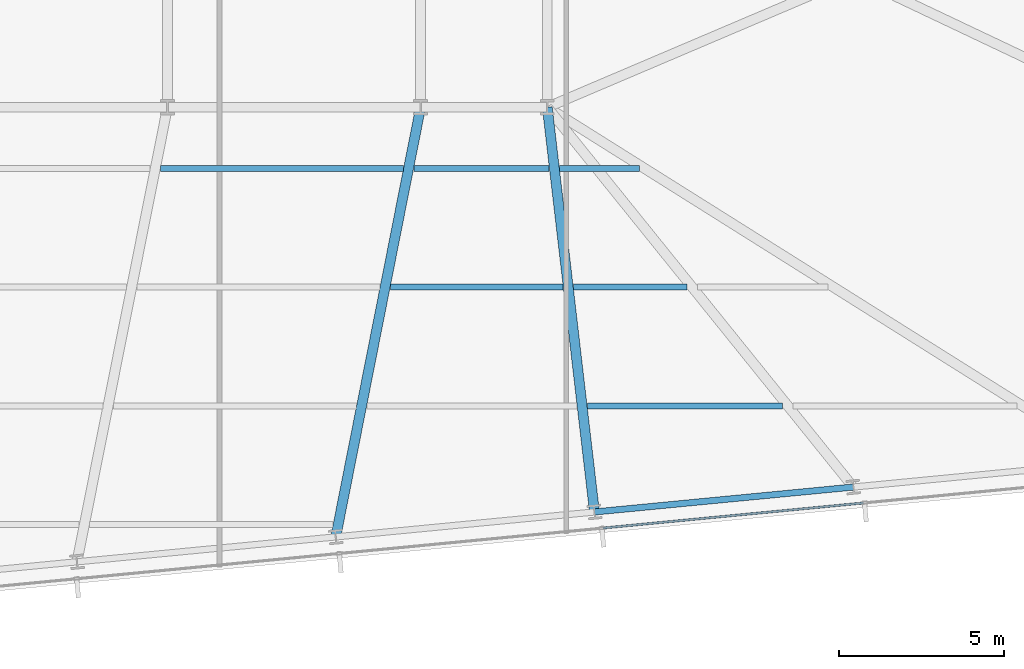
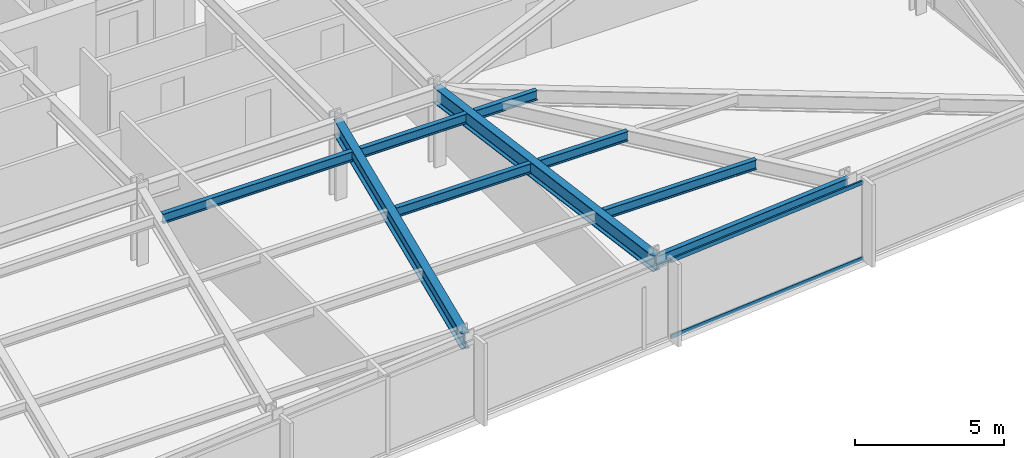
# One storey, part 11 of 32: 9 beams, 2 members, 1 element without a shape of its own.
"""IFC4 building model written with IfcOpenShell, lengths in metres."""

from ifc_helpers import new_model, si_unit, direction, frame, origin, origin_2d, place, context, subcontext, project, spatial, hollow_rectangle, i_section, extrude, material, material_profile, profile_set, type_object, element, aggregate, save


model = new_model("IFC4")

# Units and contexts
model_context = context("Model", 3, precision=1e-05, world=origin(), true_north=direction((0.0, 1.0)))
body_context = subcontext(model_context, "Body", "Model", "MODEL_VIEW")
ifc_project = project(units=[si_unit("LENGTHUNIT", "METRE"), si_unit("AREAUNIT", "SQUARE_METRE"), si_unit("VOLUMEUNIT", "CUBIC_METRE"), si_unit("PLANEANGLEUNIT", "RADIAN"), si_unit("MASSUNIT", "GRAM", prefix="KILO")], contexts=[model_context])

# Site, building, storey
site_placement = place(None, origin())
site = spatial("IfcSite", under=ifc_project, at=site_placement, CompositionType="ELEMENT")
building_placement = place(site_placement, origin())
building = spatial("IfcBuilding", under=site, at=building_placement, Name="Yelkora Congress Tower", CompositionType="ELEMENT")
storey_placement = place(building_placement, frame((0.0, 0.0, 120.300048828125)))
storey = spatial("IfcBuildingStorey", under=building, at=storey_placement, Name="L32", CompositionType="ELEMENT", Elevation=120.300048828125)

# Beams
ifc_material_1 = material(Name="Steel S355J2", Category="steel")
ifc_material_profile_1 = material_profile(ifc_material_1, i_section(OverallWidth=0.300048828125, OverallDepth=0.64990234375, WebThickness=0.01611328125, FlangeThickness=0.031005859375, FilletRadius=0.027099609375, at=origin_2d()), Name="HEB 650")
ifc_profile_set_1 = profile_set([ifc_material_profile_1], Name="Steel S355J2")
beam_type_1 = type_object("IfcBeamType", Name="BM-GIRD-HEB650", PredefinedType="BEAM", material=ifc_profile_set_1)
beam_1_placement = place(storey_placement, frame((51.18359375, 12.16748046875, 2.85498046875), z_axis=(0.193938615251, 0.981013666324, 0.0), x_axis=(-0.981013666324, 0.193938615251, 0.0)))
element("IfcBeam", 1, at=beam_1_placement, inside=storey, type_object=beam_type_1, Name="L32 Primary Frame Girder S05", PredefinedType="BEAM", context=body_context, shape_type="SweptSolid", body=[
    extrude(i_section(OverallWidth=0.300048828125, OverallDepth=0.64990234375, WebThickness=0.01611328125, FlangeThickness=0.031005859375, FilletRadius=0.027099609375, at=origin_2d()), origin(), (0.0, 0.0, 1.0), 13.28466796875),
])
beam_2_placement = place(storey_placement, frame((59.033203125, 12.92333984375, 2.85498046875), z_axis=(-0.115947280821, 0.993255369011, 0.0), x_axis=(-0.993255369011, -0.115947280821, 0.0)))
element("IfcBeam", 2, at=beam_2_placement, inside=storey, type_object=beam_type_1, Name="L32 Primary Frame Girder S06", PredefinedType="BEAM", context=body_context, shape_type="SweptSolid", body=[
    extrude(i_section(OverallWidth=0.300048828125, OverallDepth=0.64990234375, WebThickness=0.01611328125, FlangeThickness=0.031005859375, FilletRadius=0.027099609375, at=origin_2d()), origin(), (0.0, 0.0, 1.0), 12.35986328125),
])
ifc_material_profile_2 = material_profile(ifc_material_1, i_section(OverallWidth=0.179931640625, OverallDepth=0.39990234375, WebThickness=0.008544921875, FlangeThickness=0.013427734375, FilletRadius=0.02099609375, at=origin_2d()), Name="IPE 400")
ifc_profile_set_2 = profile_set([ifc_material_profile_2], Name="Steel S355J2")
beam_type_2 = type_object("IfcBeamType", Name="BM-JOIST-IPE400", PredefinedType="JOIST", material=ifc_profile_set_2)
beam_3_placement = place(storey_placement, frame((58.817138671875, 16.144287109375, 2.97998046875), z_axis=(1.0, 0.0, 0.0), x_axis=(0.0, 1.0, 0.0)))
element("IfcBeam", 3, at=beam_3_placement, inside=storey, type_object=beam_type_2, Name="L32 Composite Floor Joist 9", PredefinedType="JOIST", context=body_context, shape_type="SweptSolid", body=[
    extrude(i_section(OverallWidth=0.179931640625, OverallDepth=0.39990234375, WebThickness=0.008544921875, FlangeThickness=0.013427734375, FilletRadius=0.02099609375, at=origin_2d()), origin(), (0.0, 0.0, 1.0), 5.919189453125),
])
beam_4_placement = place(storey_placement, frame((52.841552734375, 19.744384765625, 2.97998046875), z_axis=(1.0, 0.0, 0.0), x_axis=(0.0, 1.0, 0.0)))
element("IfcBeam", 4, at=beam_4_placement, inside=storey, type_object=beam_type_2, Name="L32 Composite Floor Joist 15", PredefinedType="JOIST", context=body_context, shape_type="SweptSolid", body=[
    extrude(i_section(OverallWidth=0.179931640625, OverallDepth=0.39990234375, WebThickness=0.008544921875, FlangeThickness=0.013427734375, FilletRadius=0.02099609375, at=origin_2d()), origin(), (0.0, 0.0, 1.0), 5.2353515625),
])
beam_5_placement = place(storey_placement, frame((58.39697265625, 19.744384765625, 2.97998046875), z_axis=(1.0, 0.0, 0.0), x_axis=(0.0, 1.0, 0.0)))
element("IfcBeam", 5, at=beam_5_placement, inside=storey, type_object=beam_type_2, Name="L32 Composite Floor Joist 16", PredefinedType="JOIST", context=body_context, shape_type="SweptSolid", body=[
    extrude(i_section(OverallWidth=0.179931640625, OverallDepth=0.39990234375, WebThickness=0.008544921875, FlangeThickness=0.013427734375, FilletRadius=0.02099609375, at=origin_2d()), origin(), (0.0, 0.0, 1.0), 3.438720703125),
])
beam_6_placement = place(storey_placement, frame((45.87060546875, 23.344482421875, 2.97998046875), z_axis=(1.0, 0.0, 0.0), x_axis=(0.0, 1.0, 0.0)))
element("IfcBeam", 6, at=beam_6_placement, inside=storey, type_object=beam_type_2, Name="L32 Composite Floor Joist 21", PredefinedType="JOIST", context=body_context, shape_type="SweptSolid", body=[
    extrude(i_section(OverallWidth=0.179931640625, OverallDepth=0.39990234375, WebThickness=0.008544921875, FlangeThickness=0.013427734375, FilletRadius=0.02099609375, at=origin_2d()), origin(), (0.0, 0.0, 1.0), 7.362548828125),
])
beam_7_placement = place(storey_placement, frame((53.55322265625, 23.344482421875, 2.97998046875), z_axis=(1.0, 0.0, 0.0), x_axis=(0.0, 1.0, 0.0)))
element("IfcBeam", 7, at=beam_7_placement, inside=storey, type_object=beam_type_2, Name="L32 Composite Floor Joist 22", PredefinedType="JOIST", context=body_context, shape_type="SweptSolid", body=[
    extrude(i_section(OverallWidth=0.179931640625, OverallDepth=0.39990234375, WebThickness=0.008544921875, FlangeThickness=0.013427734375, FilletRadius=0.02099609375, at=origin_2d()), origin(), (0.0, 0.0, 1.0), 4.103271484375),
])
beam_8_placement = place(storey_placement, frame((57.9765625, 23.344482421875, 2.97998046875), z_axis=(1.0, 0.0, 0.0), x_axis=(0.0, 1.0, 0.0)))
element("IfcBeam", 8, at=beam_8_placement, inside=storey, type_object=beam_type_2, Name="L32 Composite Floor Joist 23", PredefinedType="JOIST", context=body_context, shape_type="SweptSolid", body=[
    extrude(i_section(OverallWidth=0.179931640625, OverallDepth=0.39990234375, WebThickness=0.008544921875, FlangeThickness=0.013427734375, FilletRadius=0.02099609375, at=origin_2d()), origin(), (0.0, 0.0, 1.0), 2.41650390625),
])
ifc_material_profile_3 = material_profile(ifc_material_1, i_section(OverallWidth=0.18994140625, OverallDepth=0.449951171875, WebThickness=0.009521484375, FlangeThickness=0.0146484375, FilletRadius=0.02099609375, at=origin_2d()), Name="IPE 450")
ifc_profile_set_3 = profile_set([ifc_material_profile_3], Name="Steel S355J2")
beam_type_3 = type_object("IfcBeamType", Name="BM-SPAN-IPE450", PredefinedType="SPANDREL", material=ifc_profile_set_3)
beam_9_placement = place(storey_placement, frame((59.033203125, 12.92333984375, 2.954833984375), z_axis=(0.995395575667, 0.095852219286, 0.0), x_axis=(-0.095852219286, 0.995395575667, 0.0)))
element("IfcBeam", 9, at=beam_9_placement, inside=storey, type_object=beam_type_3, Name="L32 Perimeter Beam 8", PredefinedType="SPANDREL", context=body_context, shape_type="SweptSolid", body=[
    extrude(i_section(OverallWidth=0.18994140625, OverallDepth=0.449951171875, WebThickness=0.009521484375, FlangeThickness=0.0146484375, FilletRadius=0.02099609375, at=origin_2d()), origin(), (0.0, 0.0, 1.0), 7.8857421875),
])

# Curtain wall, members
ifc_material_2 = material(Name="Anodised aluminium and insulated glass", Category="aluminium")
curtain_wall_type = type_object("IfcCurtainWallType", Name="CW-SYS-B2", PredefinedType="NOTDEFINED", material=ifc_material_2)
curtain_wall_placement = place(storey_placement, origin())
curtain_wall = element("IfcCurtainWall", 10, at=curtain_wall_placement, inside=storey, type_object=curtain_wall_type, Name="L32 Unitised Curtain Wall 20", PredefinedType="NOTDEFINED")
ifc_material_3 = material(Name="Anodised aluminium 6063-T6", Category="aluminium")
ifc_material_profile_4 = material_profile(ifc_material_3, hollow_rectangle(XDim=0.06494140625, YDim=0.159912109375, WallThickness=0.00390625, at=origin_2d()), Name="ALU 65x160x4")
ifc_profile_set_4 = profile_set([ifc_material_profile_4], Name="Anodised aluminium 6063-T6")
member_type = type_object("IfcMemberType", Name="MEM-TR-B2", PredefinedType="USERDEFINED", material=ifc_profile_set_4)
member_1_placement = place(storey_placement, frame((67.18798828125, 13.1962890625, 0.032470703125), z_axis=(-0.995397293396, -0.095834379534, 0.0), x_axis=(0.095834379534, -0.995397293396, 0.0)))
member_1 = element("IfcMember", 11, at=member_1_placement, type_object=member_type, Name="CW-B2 transom 2.1", ObjectType="TRANSOM", PredefinedType="USERDEFINED", context=body_context, shape_type="SweptSolid", body=[
    extrude(hollow_rectangle(XDim=0.06494140625, YDim=0.159912109375, WallThickness=0.00390625, at=origin_2d()), origin(), (0.0, 0.0, 1.0), 7.93310546875),
])
member_2_placement = place(storey_placement, frame((67.18798828125, 13.1962890625, 3.1474609375), z_axis=(-0.995397293396, -0.095834379534, 0.0), x_axis=(0.095834379534, -0.995397293396, 0.0)))
member_2 = element("IfcMember", 12, at=member_2_placement, type_object=member_type, Name="CW-B2 transom 2.2", ObjectType="TRANSOM", PredefinedType="USERDEFINED", context=body_context, shape_type="SweptSolid", body=[
    extrude(hollow_rectangle(XDim=0.06494140625, YDim=0.159912109375, WallThickness=0.00390625, at=origin_2d()), origin(), (0.0, 0.0, 1.0), 7.93310546875),
])
aggregate(curtain_wall, [member_1, member_2])

save(model, "model.ifc")
